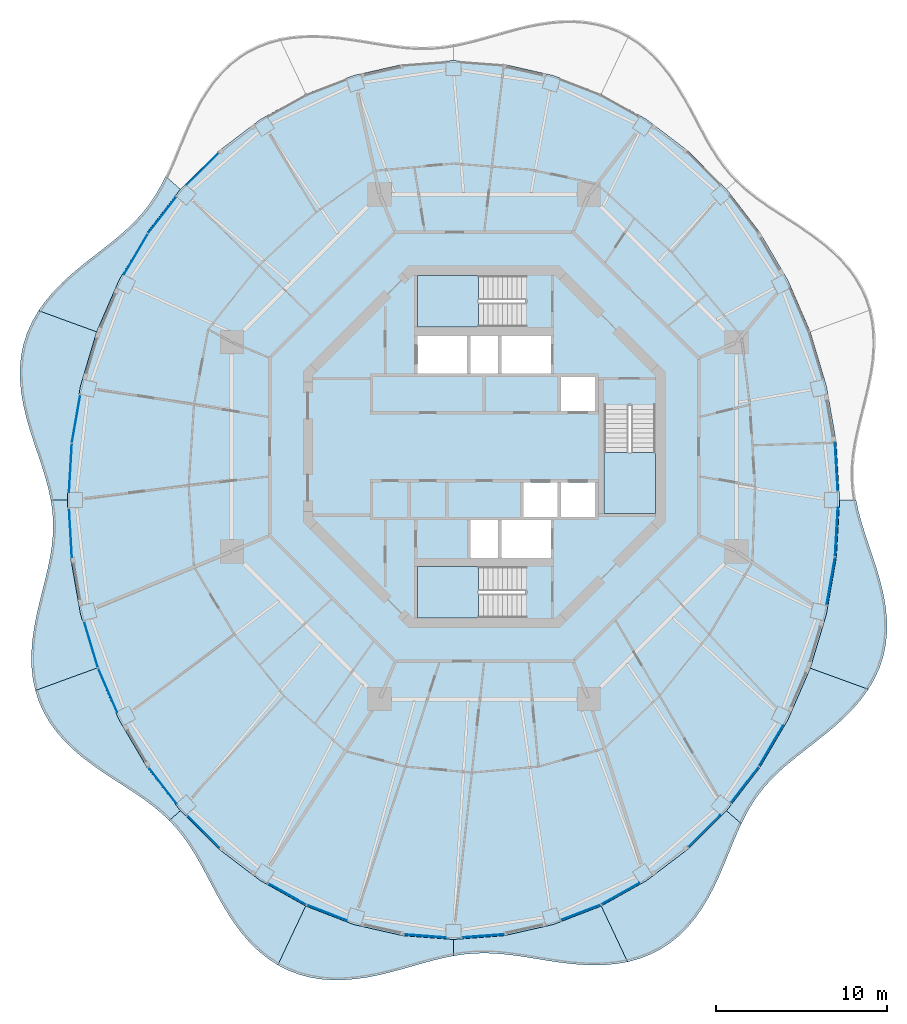
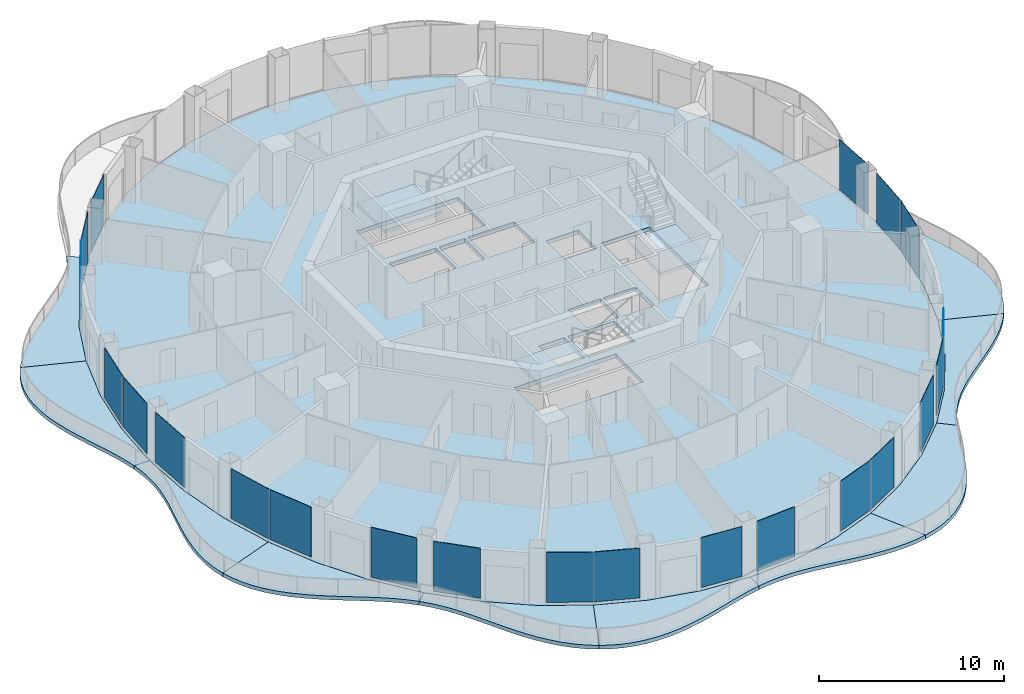
# One storey, part 8 of 17: 22 plates, 14 slabs, 25 elements without a shape of their own.
"""IFC4 building model written with IfcOpenShell, lengths in metres."""

from ifc_helpers import new_model, si_unit, direction, frame, origin, origin_2d, place, context, subcontext, project, spatial, polyline, rectangle, outline, extrude, material, layer, layer_set, type_object, element, aggregate, save


model = new_model("IFC4")

# Units and contexts
model_context = context("Model", 3, precision=1e-05, world=origin(), true_north=direction((0.0, 1.0)))
body_context = subcontext(model_context, "Body", "Model", "MODEL_VIEW")
ifc_project = project(units=[si_unit("LENGTHUNIT", "METRE"), si_unit("AREAUNIT", "SQUARE_METRE"), si_unit("VOLUMEUNIT", "CUBIC_METRE"), si_unit("PLANEANGLEUNIT", "RADIAN"), si_unit("MASSUNIT", "GRAM", prefix="KILO")], contexts=[model_context])

# Site, building, storey
site_placement = place(None, origin())
site = spatial("IfcSite", under=ifc_project, at=site_placement, CompositionType="ELEMENT")
building_placement = place(site_placement, origin())
building = spatial("IfcBuilding", under=site, at=building_placement, Name="Nagisa Residences", CompositionType="ELEMENT")
storey_placement = place(building_placement, frame((0.0, 0.0, 288.10009765625)))
storey = spatial("IfcBuildingStorey", under=building, at=storey_placement, Name="L73", CompositionType="ELEMENT", Elevation=288.10009765625)

# Slabs
ifc_material_1 = material(Name="Concrete C40/50", Category="concrete")
ifc_layer_1 = layer(ifc_material_1, 0.25)
ifc_layer_set_1 = layer_set([ifc_layer_1], Name="BALCONY SLAB 250")
slab_type_1 = type_object("IfcSlabType", Name="BALCONY SLAB 250", PredefinedType="FLOOR", material=ifc_layer_set_1)
slab_1_placement = place(storey_placement, frame((0.0, 0.0, -0.25)))
element("IfcSlab", 1, at=slab_1_placement, inside=storey, type_object=slab_type_1, Name="slab:L73:bal06", PredefinedType="FLOOR", context=body_context, shape_type="SweptSolid", body=[
    extrude(outline(polyline([(-18.6572265625, 15.84130859375), (-18.952880859375, 15.2578125), (-19.274169921875, 14.70458984375), (-19.62744140625, 14.181396484375), (-20.015869140625, 13.685791015625), (-20.442138671875, 13.214599609375), (-20.9052734375, 12.7626953125), (-21.402587890625, 12.324462890625), (-21.929443359375, 11.89306640625), (-22.478759765625, 11.4619140625), (-23.04150390625, 11.024169921875), (-23.607666015625, 10.57373046875), (-24.16650390625, 10.1044921875), (-24.7060546875, 9.6123046875), (-25.21484375, 9.09375), (-25.681884765625, 8.546630859375), (-26.09765625, 7.969970703125), (-22.6982421875, 6.732666015625), (-21.389404296875, 9.752197265625), (-19.74560546875, 12.5517578125), (-17.794677734375, 15.083251953125), (-18.6572265625, 15.84130859375)])), origin(), (0.0, 0.0, 1.0), 0.25),
])
slab_2_placement = place(storey_placement, frame((0.0, 0.0, -0.25)))
element("IfcSlab", 2, at=slab_2_placement, inside=storey, type_object=slab_type_1, Name="slab:L73:bal07", PredefinedType="FLOOR", context=body_context, shape_type="SweptSolid", body=[
    extrude(outline(polyline([(-26.09765625, 7.969970703125), (-26.46337890625, 7.344970703125), (-26.758544921875, 6.691162109375), (-26.97802734375, 6.011962890625), (-27.120361328125, 5.311767578125), (-27.1865234375, 4.595458984375), (-27.18017578125, 3.868408203125), (-27.10791015625, 3.135986328125), (-26.978759765625, 2.403076171875), (-26.803955078125, 1.674560546875), (-26.595458984375, 0.954345703125), (-26.366943359375, 0.2451171875), (-26.132080078125, -0.451416015625), (-25.904296875, -1.135009765625), (-25.696044921875, -1.805908203125), (-25.517822265625, -2.4658203125), (-25.379150390625, -3.11767578125), (-24.419921875, -3.11767578125), (-24.2265625, 0.241943359375), (-23.649169921875, 3.544189453125), (-22.6982421875, 6.732666015625), (-26.09765625, 7.969970703125)])), origin(), (0.0, 0.0, 1.0), 0.25),
])
slab_3_placement = place(storey_placement, frame((0.0, 0.0, -0.25)))
element("IfcSlab", 3, at=slab_3_placement, inside=storey, type_object=slab_type_1, Name="slab:L73:bal08", PredefinedType="FLOOR", context=body_context, shape_type="SweptSolid", body=[
    extrude(outline(polyline([(-25.379150390625, -3.11767578125), (-25.286376953125, -3.764404296875), (-25.242919921875, -4.41015625), (-25.25, -5.058349609375), (-25.3056640625, -5.712646484375), (-25.404541015625, -6.376708984375), (-25.539306640625, -7.052734375), (-25.700439453125, -7.74267578125), (-25.876220703125, -8.446533203125), (-26.0537109375, -9.1640625), (-26.219482421875, -9.89306640625), (-26.3603515625, -10.630615234375), (-26.462890625, -11.37255859375), (-26.515869140625, -12.113525390625), (-26.5087890625, -12.84814453125), (-26.434326171875, -13.5703125), (-26.286865234375, -14.274169921875), (-22.6982421875, -12.968017578125), (-23.649169921875, -9.77978515625), (-24.2265625, -6.4775390625), (-24.419921875, -3.11767578125), (-25.379150390625, -3.11767578125)])), origin(), (0.0, 0.0, 1.0), 0.25),
])
slab_4_placement = place(storey_placement, frame((0.0, 0.0, -0.25)))
element("IfcSlab", 4, at=slab_4_placement, inside=storey, type_object=slab_type_1, Name="slab:L73:bal09", PredefinedType="FLOOR", context=body_context, shape_type="SweptSolid", body=[
    extrude(outline(polyline([(-26.286865234375, -14.274169921875), (-26.07177734375, -14.93359375), (-25.785888671875, -15.56591796875), (-25.431884765625, -16.16796875), (-25.0146484375, -16.73681640625), (-24.541015625, -17.271728515625), (-24.02001953125, -17.772705078125), (-23.461669921875, -18.241943359375), (-22.876708984375, -18.68212890625), (-22.2763671875, -19.09814453125), (-21.671875, -19.49560546875), (-21.073486328125, -19.88134765625), (-20.49072265625, -20.262451171875), (-19.931396484375, -20.646484375), (-19.401123046875, -21.041015625), (-18.904296875, -21.45263671875), (-18.442138671875, -21.8876953125), (-17.794677734375, -21.318603515625), (-19.74560546875, -18.787109375), (-21.389404296875, -15.98779296875), (-22.6982421875, -12.968017578125), (-26.286865234375, -14.274169921875)])), origin(), (0.0, 0.0, 1.0), 0.25),
])
slab_5_placement = place(storey_placement, frame((0.0, 0.0, -0.25)))
element("IfcSlab", 5, at=slab_5_placement, inside=storey, type_object=slab_type_1, Name="slab:L73:bal10", PredefinedType="FLOOR", context=body_context, shape_type="SweptSolid", body=[
    extrude(outline(polyline([(-18.442138671875, -21.8876953125), (-18.033935546875, -22.328125), (-17.654541015625, -22.797119140625), (-17.30029296875, -23.29541015625), (-16.966064453125, -23.822998046875), (-16.645263671875, -24.377685546875), (-16.330810546875, -24.955810546875), (-16.015380859375, -25.552001953125), (-15.690673828125, -26.159423828125), (-15.349853515625, -26.770263671875), (-14.986083984375, -27.375244140625), (-14.59326171875, -27.965087890625), (-14.1669921875, -28.529541015625), (-13.7041015625, -29.059326171875), (-13.20263671875, -29.545166015625), (-12.662353515625, -29.97900390625), (-12.0849609375, -30.35400390625), (-10.456298828125, -26.8984375), (-13.110107421875, -25.4091796875), (-15.570068359375, -23.53857421875), (-17.794677734375, -21.318603515625), (-18.442138671875, -21.8876953125)])), origin(), (0.0, 0.0, 1.0), 0.25),
])
slab_6_placement = place(storey_placement, frame((0.0, 0.0, -0.25)))
element("IfcSlab", 6, at=slab_6_placement, inside=storey, type_object=slab_type_1, Name="slab:L73:bal11", PredefinedType="FLOOR", context=body_context, shape_type="SweptSolid", body=[
    extrude(outline(polyline([(-12.0849609375, -30.35400390625), (-11.495849609375, -30.65478515625), (-10.878173828125, -30.89306640625), (-10.236572265625, -31.067626953125), (-9.576171875, -31.17919921875), (-8.902099609375, -31.22998046875), (-8.22021484375, -31.224609375), (-7.53564453125, -31.1689453125), (-6.853759765625, -31.070068359375), (-6.178466796875, -30.936279296875), (-5.513427734375, -30.77734375), (-4.861328125, -30.602783203125), (-4.222900390625, -30.42236328125), (-3.598876953125, -30.2451171875), (-2.988525390625, -30.080322265625), (-2.3896484375, -29.935546875), (-1.800048828125, -29.81689453125), (-1.800048828125, -28.857666015625), (-4.75244140625, -28.637451171875), (-7.654541015625, -27.980712890625), (-10.456298828125, -26.8984375), (-12.0849609375, -30.35400390625)])), origin(), (0.0, 0.0, 1.0), 0.25),
])
slab_7_placement = place(storey_placement, frame((0.0, 0.0, -0.25)))
element("IfcSlab", 7, at=slab_7_placement, inside=storey, type_object=slab_type_1, Name="slab:L73:bal12", PredefinedType="FLOOR", context=body_context, shape_type="SweptSolid", body=[
    extrude(outline(polyline([(-1.800048828125, -29.81689453125), (-1.216064453125, -29.72900390625), (-0.63427734375, -29.675048828125), (-0.05078125, -29.655517578125), (0.5380859375, -29.669921875), (1.1357421875, -29.714599609375), (1.7451171875, -29.78564453125), (2.367919921875, -29.876220703125), (3.00537109375, -29.978759765625), (3.6572265625, -30.0849609375), (4.322509765625, -30.185546875), (4.998779296875, -30.27099609375), (5.6826171875, -30.331787109375), (6.369873046875, -30.359375), (7.054931640625, -30.345703125), (7.73291015625, -30.283447265625), (8.397216796875, -30.167724609375), (6.856201171875, -26.8984375), (4.054443359375, -27.980712890625), (1.152587890625, -28.637451171875), (-1.800048828125, -28.857666015625), (-1.800048828125, -29.81689453125)])), origin(), (0.0, 0.0, 1.0), 0.25),
])
slab_8_placement = place(storey_placement, frame((0.0, 0.0, -0.25)))
element("IfcSlab", 8, at=slab_8_placement, inside=storey, type_object=slab_type_1, Name="slab:L73:bal13", PredefinedType="FLOOR", context=body_context, shape_type="SweptSolid", body=[
    extrude(outline(polyline([(8.397216796875, -30.167724609375), (9.066162109375, -29.986572265625), (9.708251953125, -29.740966796875), (10.3173828125, -29.4306640625), (10.889404296875, -29.057373046875), (11.420654296875, -28.624755859375), (11.908935546875, -28.137939453125), (12.353759765625, -27.60400390625), (12.756591796875, -27.03076171875), (13.119873046875, -26.4267578125), (13.447998046875, -25.801513671875), (13.746826171875, -25.164306640625), (14.022705078125, -24.523681640625), (14.28369140625, -23.887939453125), (14.53759765625, -23.264404296875), (14.792724609375, -22.6591796875), (15.057373046875, -22.07666015625), (14.19482421875, -21.318603515625), (11.97021484375, -23.53857421875), (9.510009765625, -25.4091796875), (6.856201171875, -26.8984375), (8.397216796875, -30.167724609375)])), origin(), (0.0, 0.0, 1.0), 0.25),
])
slab_9_placement = place(storey_placement, frame((0.0, 0.0, -0.25)))
element("IfcSlab", 9, at=slab_9_placement, inside=storey, type_object=slab_type_1, Name="slab:L73:bal14", PredefinedType="FLOOR", context=body_context, shape_type="SweptSolid", body=[
    extrude(outline(polyline([(15.057373046875, -22.07666015625), (15.352783203125, -21.493408203125), (15.67431640625, -20.940185546875), (16.02734375, -20.416748046875), (16.416015625, -19.921142578125), (16.842041015625, -19.449951171875), (17.30517578125, -18.998291015625), (17.802734375, -18.559814453125), (18.32958984375, -18.128662109375), (18.878662109375, -17.697265625), (19.44140625, -17.259521484375), (20.0078125, -16.80908203125), (20.56640625, -16.33984375), (21.10595703125, -15.84765625), (21.61474609375, -15.3291015625), (22.08203125, -14.781982421875), (22.49755859375, -14.205322265625), (19.09814453125, -12.968017578125), (17.78955078125, -15.98779296875), (16.145751953125, -18.787109375), (14.19482421875, -21.318603515625), (15.057373046875, -22.07666015625)])), origin(), (0.0, 0.0, 1.0), 0.25),
])
slab_10_placement = place(storey_placement, frame((0.0, 0.0, -0.25)))
element("IfcSlab", 10, at=slab_10_placement, inside=storey, type_object=slab_type_1, Name="slab:L73:bal15", PredefinedType="FLOOR", context=body_context, shape_type="SweptSolid", body=[
    extrude(outline(polyline([(22.49755859375, -14.205322265625), (22.863525390625, -13.580322265625), (23.158447265625, -12.926513671875), (23.378173828125, -12.24755859375), (23.5205078125, -11.54736328125), (23.58642578125, -10.8310546875), (23.580078125, -10.103759765625), (23.5078125, -9.371337890625), (23.37890625, -8.638427734375), (23.203857421875, -7.91015625), (22.99560546875, -7.189697265625), (22.76708984375, -6.48046875), (22.5322265625, -5.783935546875), (22.304443359375, -5.100341796875), (22.095947265625, -4.429443359375), (21.91796875, -3.76953125), (21.779296875, -3.11767578125), (20.820068359375, -3.11767578125), (20.62646484375, -6.4775390625), (20.04931640625, -9.77978515625), (19.09814453125, -12.968017578125), (22.49755859375, -14.205322265625)])), origin(), (0.0, 0.0, 1.0), 0.25),
])

# Curtain wall, plate
ifc_material_2 = material(Name="Concrete-coloured aluminium curtain wall system", Category="concrete")
ifc_layer_2 = layer(ifc_material_2, 0.159912109375)
ifc_layer_set_2 = layer_set([ifc_layer_2], Name="CW1 CURTAIN WALL")
curtain_wall_type = type_object("IfcCurtainWallType", Name="CW1 CURTAIN WALL", PredefinedType="NOTDEFINED", material=ifc_layer_set_2)
curtain_wall_1_placement = place(storey_placement, origin())
curtain_wall_1 = element("IfcCurtainWall", 11, at=curtain_wall_1_placement, inside=storey, type_object=curtain_wall_type, Name="cw:CW1:L73:00", PredefinedType="NOTDEFINED")
ifc_material_3 = material(Name="Clear laminated glass", Category="glass")
ifc_layer_3 = layer(ifc_material_3, 0.028076171875)
ifc_layer_set_3 = layer_set([ifc_layer_3], Name="CW1 GLASS PANEL")
plate_type = type_object("IfcPlateType", Name="CW1 GLASS PANEL", PredefinedType="CURTAIN_PANEL", material=ifc_layer_set_3)
plate_1_placement = place(storey_placement, frame((20.628662109375, -1.187744140625, 0.14990234375), z_axis=(0.0, 0.0, 1.0), x_axis=(-0.057503492216, 0.998345305184, 0.0)))
plate_1 = element("IfcPlate", 12, at=plate_1_placement, type_object=plate_type, Name="CW1 panel", PredefinedType="CURTAIN_PANEL", context=body_context, shape_type="SweptSolid", body=[
    extrude(rectangle(XDim=2.855224609375, YDim=0.028076171875, at=origin_2d()), origin(), (0.0, 0.0, 1.0), 3.2900390625),
])
aggregate(curtain_wall_1, [plate_1])

curtain_wall_2_placement = place(storey_placement, origin())
curtain_wall_2 = element("IfcCurtainWall", 13, at=curtain_wall_2_placement, inside=storey, type_object=curtain_wall_type, Name="cw:CW1:L73:17", PredefinedType="NOTDEFINED")
plate_2_placement = place(storey_placement, frame((-16.488037109375, 16.2744140625, 0.14990234375), z_axis=(0.0, 0.0, 1.0), x_axis=(-0.707835924016, -0.706376885714, 0.0)))
plate_2 = element("IfcPlate", 14, at=plate_2_placement, type_object=plate_type, Name="CW1 panel", PredefinedType="CURTAIN_PANEL", context=body_context, shape_type="SweptSolid", body=[
    extrude(rectangle(XDim=2.6328125, YDim=0.028076171875, at=origin_2d()), origin(), (0.0, 0.0, 1.0), 3.2900390625),
])
aggregate(curtain_wall_2, [plate_2])

curtain_wall_3_placement = place(storey_placement, origin())
curtain_wall_3 = element("IfcCurtainWall", 15, at=curtain_wall_3_placement, inside=storey, type_object=curtain_wall_type, Name="cw:CW1:L73:18", PredefinedType="NOTDEFINED")
plate_3_placement = place(storey_placement, frame((-18.862548828125, 13.566650390625, 0.14990234375), z_axis=(0.0, 0.0, 1.0), x_axis=(-0.610429828235, -0.792070340816, 0.0)))
plate_3 = element("IfcPlate", 16, at=plate_3_placement, type_object=plate_type, Name="CW1 panel", PredefinedType="CURTAIN_PANEL", context=body_context, shape_type="SweptSolid", body=[
    extrude(rectangle(XDim=2.68603515625, YDim=0.028076171875, at=origin_2d()), origin(), (0.0, 0.0, 1.0), 3.2900390625),
])
aggregate(curtain_wall_3, [plate_3])

curtain_wall_4_placement = place(storey_placement, origin())
curtain_wall_4 = element("IfcCurtainWall", 17, at=curtain_wall_4_placement, inside=storey, type_object=curtain_wall_type, Name="cw:CW1:L73:19", PredefinedType="NOTDEFINED")
plate_4_placement = place(storey_placement, frame((-20.39990234375, 11.27978515625, 0.14990234375), z_axis=(0.0, 0.0, 1.0), x_axis=(-0.506348567002, -0.862328898214, 0.0)))
plate_4 = element("IfcPlate", 18, at=plate_4_placement, type_object=plate_type, Name="CW1 panel", PredefinedType="CURTAIN_PANEL", context=body_context, shape_type="SweptSolid", body=[
    extrude(rectangle(XDim=2.736572265625, YDim=0.028076171875, at=origin_2d()), origin(), (0.0, 0.0, 1.0), 3.2900390625),
])
aggregate(curtain_wall_4, [plate_4])

curtain_wall_5_placement = place(storey_placement, origin())
curtain_wall_5 = element("IfcCurtainWall", 19, at=curtain_wall_5_placement, inside=storey, type_object=curtain_wall_type, Name="cw:CW1:L73:22", PredefinedType="NOTDEFINED")
plate_5_placement = place(storey_placement, frame((-23.903076171875, 1.628173828125, 0.14990234375), z_axis=(0.0, 0.0, 1.0), x_axis=(-0.172190868898, -0.985063604377, 0.0)))
plate_5 = element("IfcPlate", 20, at=plate_5_placement, type_object=plate_type, Name="CW1 panel", PredefinedType="CURTAIN_PANEL", context=body_context, shape_type="SweptSolid", body=[
    extrude(rectangle(XDim=2.84228515625, YDim=0.028076171875, at=origin_2d()), origin(), (0.0, 0.0, 1.0), 3.2900390625),
])
aggregate(curtain_wall_5, [plate_5])

curtain_wall_6_placement = place(storey_placement, origin())
curtain_wall_6 = element("IfcCurtainWall", 21, at=curtain_wall_6_placement, inside=storey, type_object=curtain_wall_type, Name="cw:CW1:L73:23", PredefinedType="NOTDEFINED")
plate_6_placement = place(storey_placement, frame((-24.232177734375, -1.247802734375, 0.14990234375), z_axis=(0.0, 0.0, 1.0), x_axis=(-0.057503492216, -0.998345305184, 0.0)))
plate_6 = element("IfcPlate", 22, at=plate_6_placement, type_object=plate_type, Name="CW1 panel", PredefinedType="CURTAIN_PANEL", context=body_context, shape_type="SweptSolid", body=[
    extrude(rectangle(XDim=2.855224609375, YDim=0.028076171875, at=origin_2d()), origin(), (0.0, 0.0, 1.0), 3.2900390625),
])
aggregate(curtain_wall_6, [plate_6])

curtain_wall_7_placement = place(storey_placement, origin())
curtain_wall_7 = element("IfcCurtainWall", 23, at=curtain_wall_7_placement, inside=storey, type_object=curtain_wall_type, Name="cw:CW1:L73:24", PredefinedType="NOTDEFINED")
plate_7_placement = place(storey_placement, frame((-24.228759765625, -5.047607421875, 0.14990234375), z_axis=(0.0, 0.0, 1.0), x_axis=(0.057503492216, -0.998345305184, 0.0)))
plate_7 = element("IfcPlate", 24, at=plate_7_placement, type_object=plate_type, Name="CW1 panel", PredefinedType="CURTAIN_PANEL", context=body_context, shape_type="SweptSolid", body=[
    extrude(rectangle(XDim=2.855224609375, YDim=0.028076171875, at=origin_2d()), origin(), (0.0, 0.0, 1.0), 3.2900390625),
])
aggregate(curtain_wall_7, [plate_7])

curtain_wall_8_placement = place(storey_placement, origin())
curtain_wall_8 = element("IfcCurtainWall", 25, at=curtain_wall_8_placement, inside=storey, type_object=curtain_wall_type, Name="cw:CW1:L73:26", PredefinedType="NOTDEFINED")
plate_8_placement = place(storey_placement, frame((-23.024169921875, -11.59521484375, 0.14990234375), z_axis=(0.0, 0.0, 1.0), x_axis=(0.285860274038, -0.958271310082, 0.0)))
plate_8 = element("IfcPlate", 26, at=plate_8_placement, type_object=plate_type, Name="CW1 panel", PredefinedType="CURTAIN_PANEL", context=body_context, shape_type="SweptSolid", body=[
    extrude(rectangle(XDim=2.817138671875, YDim=0.028076171875, at=origin_2d()), origin(), (0.0, 0.0, 1.0), 3.2900390625),
])
aggregate(curtain_wall_8, [plate_8])

curtain_wall_9_placement = place(storey_placement, origin())
curtain_wall_9 = element("IfcCurtainWall", 27, at=curtain_wall_9_placement, inside=storey, type_object=curtain_wall_type, Name="cw:CW1:L73:27", PredefinedType="NOTDEFINED")
plate_9_placement = place(storey_placement, frame((-22.0478515625, -14.26708984375, 0.14990234375), z_axis=(0.0, 0.0, 1.0), x_axis=(0.397635934147, -0.917543276295, 0.0)))
plate_9 = element("IfcPlate", 28, at=plate_9_placement, type_object=plate_type, Name="CW1 panel", PredefinedType="CURTAIN_PANEL", context=body_context, shape_type="SweptSolid", body=[
    extrude(rectangle(XDim=2.781005859375, YDim=0.028076171875, at=origin_2d()), origin(), (0.0, 0.0, 1.0), 3.2900390625),
])
aggregate(curtain_wall_9, [plate_9])

curtain_wall_10_placement = place(storey_placement, origin())
curtain_wall_10 = element("IfcCurtainWall", 29, at=curtain_wall_10_placement, inside=storey, type_object=curtain_wall_type, Name="cw:CW1:L73:29", PredefinedType="NOTDEFINED")
plate_10_placement = place(storey_placement, frame((-18.825927734375, -19.849609375, 0.14990234375), z_axis=(0.0, 0.0, 1.0), x_axis=(0.610429828235, -0.792070340816, 0.0)))
plate_10 = element("IfcPlate", 30, at=plate_10_placement, type_object=plate_type, Name="CW1 panel", PredefinedType="CURTAIN_PANEL", context=body_context, shape_type="SweptSolid", body=[
    extrude(rectangle(XDim=2.68603515625, YDim=0.028076171875, at=origin_2d()), origin(), (0.0, 0.0, 1.0), 3.2900390625),
])
aggregate(curtain_wall_10, [plate_10])

curtain_wall_11_placement = place(storey_placement, origin())
curtain_wall_11 = element("IfcCurtainWall", 31, at=curtain_wall_11_placement, inside=storey, type_object=curtain_wall_type, Name="cw:CW1:L73:30", PredefinedType="NOTDEFINED")
plate_11_placement = place(storey_placement, frame((-16.445556640625, -22.552001953125, 0.14990234375), z_axis=(0.0, 0.0, 1.0), x_axis=(0.707835924016, -0.706376885714, 0.0)))
plate_11 = element("IfcPlate", 32, at=plate_11_placement, type_object=plate_type, Name="CW1 panel", PredefinedType="CURTAIN_PANEL", context=body_context, shape_type="SweptSolid", body=[
    extrude(rectangle(XDim=2.6328125, YDim=0.028076171875, at=origin_2d()), origin(), (0.0, 0.0, 1.0), 3.2900390625),
])
aggregate(curtain_wall_11, [plate_11])

curtain_wall_12_placement = place(storey_placement, origin())
curtain_wall_12 = element("IfcCurtainWall", 33, at=curtain_wall_12_placement, inside=storey, type_object=curtain_wall_type, Name="cw:CW1:L73:32", PredefinedType="NOTDEFINED")
plate_12_placement = place(storey_placement, frame((-11.521728515625, -26.208740234375, 0.14990234375), z_axis=(0.0, 0.0, 1.0), x_axis=(0.872072377523, -0.489376918501, 0.0)))
plate_12 = element("IfcPlate", 34, at=plate_12_placement, type_object=plate_type, Name="CW1 panel", PredefinedType="CURTAIN_PANEL", context=body_context, shape_type="SweptSolid", body=[
    extrude(rectangle(XDim=2.532958984375, YDim=0.028076171875, at=origin_2d()), origin(), (0.0, 0.0, 1.0), 3.2900390625),
])
aggregate(curtain_wall_12, [plate_12])

curtain_wall_13_placement = place(storey_placement, origin())
curtain_wall_13 = element("IfcCurtainWall", 35, at=curtain_wall_13_placement, inside=storey, type_object=curtain_wall_type, Name="cw:CW1:L73:33", PredefinedType="NOTDEFINED")
plate_13_placement = place(storey_placement, frame((-9.20849609375, -27.294677734375, 0.14990234375), z_axis=(0.0, 0.0, 1.0), x_axis=(0.932825759707, -0.360327770268, 0.0)))
plate_13 = element("IfcPlate", 36, at=plate_13_placement, type_object=plate_type, Name="CW1 panel", PredefinedType="CURTAIN_PANEL", context=body_context, shape_type="SweptSolid", body=[
    extrude(rectangle(XDim=2.49365234375, YDim=0.028076171875, at=origin_2d()), origin(), (0.0, 0.0, 1.0), 3.2900390625),
])
aggregate(curtain_wall_13, [plate_13])

curtain_wall_14_placement = place(storey_placement, origin())
curtain_wall_14 = element("IfcCurtainWall", 37, at=curtain_wall_14_placement, inside=storey, type_object=curtain_wall_type, Name="cw:CW1:L73:35", PredefinedType="NOTDEFINED")
plate_14_placement = place(storey_placement, frame((-3.46484375, -28.6533203125, 0.14990234375), z_axis=(0.0, 0.0, 1.0), x_axis=(0.997230168512, -0.074377355493, 0.0)))
plate_14 = element("IfcPlate", 38, at=plate_14_placement, type_object=plate_type, Name="CW1 panel", PredefinedType="CURTAIN_PANEL", context=body_context, shape_type="SweptSolid", body=[
    extrude(rectangle(XDim=2.45068359375, YDim=0.028076171875, at=origin_2d()), origin(), (0.0, 0.0, 1.0), 3.2900390625),
])
aggregate(curtain_wall_14, [plate_14])

curtain_wall_15_placement = place(storey_placement, origin())
curtain_wall_15 = element("IfcCurtainWall", 39, at=curtain_wall_15_placement, inside=storey, type_object=curtain_wall_type, Name="cw:CW1:L73:36", PredefinedType="NOTDEFINED")
plate_15_placement = place(storey_placement, frame((-0.075439453125, -28.64892578125, 0.14990234375), z_axis=(0.0, 0.0, 1.0), x_axis=(0.997230168512, 0.074377355493, 0.0)))
plate_15 = element("IfcPlate", 40, at=plate_15_placement, type_object=plate_type, Name="CW1 panel", PredefinedType="CURTAIN_PANEL", context=body_context, shape_type="SweptSolid", body=[
    extrude(rectangle(XDim=2.45068359375, YDim=0.028076171875, at=origin_2d()), origin(), (0.0, 0.0, 1.0), 3.2900390625),
])
aggregate(curtain_wall_15, [plate_15])

curtain_wall_16_placement = place(storey_placement, origin())
curtain_wall_16 = element("IfcCurtainWall", 41, at=curtain_wall_16_placement, inside=storey, type_object=curtain_wall_type, Name="cw:CW1:L73:38", PredefinedType="NOTDEFINED")
plate_16_placement = place(storey_placement, frame((5.66455078125, -27.27294921875, 0.14990234375), z_axis=(0.0, 0.0, 1.0), x_axis=(0.932825759707, 0.360327770268, 0.0)))
plate_16 = element("IfcPlate", 42, at=plate_16_placement, type_object=plate_type, Name="CW1 panel", PredefinedType="CURTAIN_PANEL", context=body_context, shape_type="SweptSolid", body=[
    extrude(rectangle(XDim=2.49365234375, YDim=0.028076171875, at=origin_2d()), origin(), (0.0, 0.0, 1.0), 3.2900390625),
])
aggregate(curtain_wall_16, [plate_16])

curtain_wall_17_placement = place(storey_placement, origin())
curtain_wall_17 = element("IfcCurtainWall", 43, at=curtain_wall_17_placement, inside=storey, type_object=curtain_wall_type, Name="cw:CW1:L73:39", PredefinedType="NOTDEFINED")
plate_17_placement = place(storey_placement, frame((7.973876953125, -26.179443359375, 0.14990234375), z_axis=(0.0, 0.0, 1.0), x_axis=(0.872072377523, 0.489376918501, 0.0)))
plate_17 = element("IfcPlate", 44, at=plate_17_placement, type_object=plate_type, Name="CW1 panel", PredefinedType="CURTAIN_PANEL", context=body_context, shape_type="SweptSolid", body=[
    extrude(rectangle(XDim=2.532958984375, YDim=0.028076171875, at=origin_2d()), origin(), (0.0, 0.0, 1.0), 3.2900390625),
])
aggregate(curtain_wall_17, [plate_17])

curtain_wall_18_placement = place(storey_placement, origin())
curtain_wall_18 = element("IfcCurtainWall", 45, at=curtain_wall_18_placement, inside=storey, type_object=curtain_wall_type, Name="cw:CW1:L73:41", PredefinedType="NOTDEFINED")
plate_18_placement = place(storey_placement, frame((12.887939453125, -22.509765625, 0.14990234375), z_axis=(0.0, 0.0, 1.0), x_axis=(0.707835924016, 0.706376885714, 0.0)))
plate_18 = element("IfcPlate", 46, at=plate_18_placement, type_object=plate_type, Name="CW1 panel", PredefinedType="CURTAIN_PANEL", context=body_context, shape_type="SweptSolid", body=[
    extrude(rectangle(XDim=2.6328125, YDim=0.028076171875, at=origin_2d()), origin(), (0.0, 0.0, 1.0), 3.2900390625),
])
aggregate(curtain_wall_18, [plate_18])

curtain_wall_19_placement = place(storey_placement, origin())
curtain_wall_19 = element("IfcCurtainWall", 47, at=curtain_wall_19_placement, inside=storey, type_object=curtain_wall_type, Name="cw:CW1:L73:42", PredefinedType="NOTDEFINED")
plate_19_placement = place(storey_placement, frame((15.262451171875, -19.802001953125, 0.14990234375), z_axis=(0.0, 0.0, 1.0), x_axis=(0.610429828235, 0.792070340816, 0.0)))
plate_19 = element("IfcPlate", 48, at=plate_19_placement, type_object=plate_type, Name="CW1 panel", PredefinedType="CURTAIN_PANEL", context=body_context, shape_type="SweptSolid", body=[
    extrude(rectangle(XDim=2.68603515625, YDim=0.028076171875, at=origin_2d()), origin(), (0.0, 0.0, 1.0), 3.2900390625),
])
aggregate(curtain_wall_19, [plate_19])

curtain_wall_20_placement = place(storey_placement, origin())
curtain_wall_20 = element("IfcCurtainWall", 49, at=curtain_wall_20_placement, inside=storey, type_object=curtain_wall_type, Name="cw:CW1:L73:43", PredefinedType="NOTDEFINED")
plate_20_placement = place(storey_placement, frame((16.7998046875, -17.51513671875, 0.14990234375), z_axis=(0.0, 0.0, 1.0), x_axis=(0.506348567002, 0.862328898214, 0.0)))
plate_20 = element("IfcPlate", 50, at=plate_20_placement, type_object=plate_type, Name="CW1 panel", PredefinedType="CURTAIN_PANEL", context=body_context, shape_type="SweptSolid", body=[
    extrude(rectangle(XDim=2.736572265625, YDim=0.028076171875, at=origin_2d()), origin(), (0.0, 0.0, 1.0), 3.2900390625),
])
aggregate(curtain_wall_20, [plate_20])

curtain_wall_21_placement = place(storey_placement, origin())
curtain_wall_21 = element("IfcCurtainWall", 51, at=curtain_wall_21_placement, inside=storey, type_object=curtain_wall_type, Name="cw:CW1:L73:46", PredefinedType="NOTDEFINED")
plate_21_placement = place(storey_placement, frame((20.302978515625, -7.863525390625, 0.14990234375), z_axis=(0.0, 0.0, 1.0), x_axis=(0.172190868898, 0.985063604377, 0.0)))
plate_21 = element("IfcPlate", 52, at=plate_21_placement, type_object=plate_type, Name="CW1 panel", PredefinedType="CURTAIN_PANEL", context=body_context, shape_type="SweptSolid", body=[
    extrude(rectangle(XDim=2.84228515625, YDim=0.028076171875, at=origin_2d()), origin(), (0.0, 0.0, 1.0), 3.2900390625),
])
aggregate(curtain_wall_21, [plate_21])

curtain_wall_22_placement = place(storey_placement, origin())
curtain_wall_22 = element("IfcCurtainWall", 53, at=curtain_wall_22_placement, inside=storey, type_object=curtain_wall_type, Name="cw:CW1:L73:47", PredefinedType="NOTDEFINED")
plate_22_placement = place(storey_placement, frame((20.632080078125, -4.987548828125, 0.14990234375), z_axis=(0.0, 0.0, 1.0), x_axis=(0.057503492216, 0.998345305184, 0.0)))
plate_22 = element("IfcPlate", 54, at=plate_22_placement, type_object=plate_type, Name="CW1 panel", PredefinedType="CURTAIN_PANEL", context=body_context, shape_type="SweptSolid", body=[
    extrude(rectangle(XDim=2.855224609375, YDim=0.028076171875, at=origin_2d()), origin(), (0.0, 0.0, 1.0), 3.2900390625),
])
aggregate(curtain_wall_22, [plate_22])

# Slab
ifc_material_4 = material(Name="Concrete C40", Category="concrete")
ifc_layer_4 = layer(ifc_material_4, 0.260009765625)
ifc_layer_set_4 = layer_set([ifc_layer_4], Name="Floor slab 260")
slab_type_2 = type_object("IfcSlabType", Name="Floor slab 260", PredefinedType="FLOOR", material=ifc_layer_set_4)
slab_11_placement = place(storey_placement, frame((0.0, 0.0, -0.260009765625)))
element("IfcSlab", 55, at=slab_11_placement, inside=storey, type_object=slab_type_2, Name="slab:L73:floor", PredefinedType="FLOOR", context=body_context, shape_type="SweptSolid", body=[
    extrude(outline(polyline([(20.820068359375, -3.11767578125), (20.62646484375, 0.241943359375), (20.04931640625, 3.544189453125), (19.09814453125, 6.732666015625), (17.78955078125, 9.752197265625), (16.145751953125, 12.5517578125), (14.19482421875, 15.083251953125), (11.97021484375, 17.30322265625), (9.510009765625, 19.173828125), (6.856201171875, 20.6630859375), (4.054443359375, 21.745361328125), (1.152587890625, 22.402099609375), (-1.800048828125, 22.622314453125), (-4.75244140625, 22.402099609375), (-7.654541015625, 21.745361328125), (-10.456298828125, 20.6630859375), (-13.110107421875, 19.173828125), (-15.570068359375, 17.30322265625), (-17.794677734375, 15.083251953125), (-19.74560546875, 12.5517578125), (-21.389404296875, 9.752197265625), (-22.6982421875, 6.732666015625), (-23.649169921875, 3.544189453125), (-24.2265625, 0.241943359375), (-24.419921875, -3.11767578125), (-24.2265625, -6.4775390625), (-23.649169921875, -9.77978515625), (-22.6982421875, -12.968017578125), (-21.389404296875, -15.98779296875), (-19.74560546875, -18.787109375), (-17.794677734375, -21.318603515625), (-15.570068359375, -23.53857421875), (-13.110107421875, -25.4091796875), (-10.456298828125, -26.8984375), (-7.654541015625, -27.980712890625), (-4.75244140625, -28.637451171875), (-1.800048828125, -28.857666015625), (1.152587890625, -28.637451171875), (4.054443359375, -27.980712890625), (6.856201171875, -26.8984375), (9.510009765625, -25.4091796875), (11.97021484375, -23.53857421875), (14.19482421875, -21.318603515625), (16.145751953125, -18.787109375), (17.78955078125, -15.98779296875), (19.09814453125, -12.968017578125), (20.04931640625, -9.77978515625), (20.62646484375, -6.4775390625), (20.820068359375, -3.11767578125)]), holes=[polyline([(6.5, 2.10009765625), (6.5, 4.10009765625), (4.5, 4.10009765625), (4.5, 2.10009765625), (6.5, 2.10009765625)]), polyline([(4.300048828125, -4.10009765625), (4.300048828125, -2.10009765625), (2.300048828125, -2.10009765625), (2.300048828125, -4.10009765625), (4.300048828125, -4.10009765625)]), polyline([(6.5, -4.10009765625), (6.5, -2.10009765625), (4.5, -2.10009765625), (4.5, -4.10009765625), (6.5, -4.10009765625)]), polyline([(3.89990234375, 4.300048828125), (3.89990234375, 6.5), (1.0, 6.5), (1.0, 4.300048828125), (3.89990234375, 4.300048828125)]), polyline([(3.89990234375, -6.5), (3.89990234375, -4.300048828125), (1.0, -4.300048828125), (1.0, -6.5), (3.89990234375, -6.5)]), polyline([(-1.0, 4.300048828125), (-1.0, 6.5), (-3.89990234375, 6.5), (-3.89990234375, 4.300048828125), (-1.0, 4.300048828125)]), polyline([(0.800048828125, 4.300048828125), (0.800048828125, 6.5), (-0.800048828125, 6.5), (-0.800048828125, 4.300048828125), (0.800048828125, 4.300048828125)]), polyline([(0.800048828125, -6.5), (0.800048828125, -4.300048828125), (-0.800048828125, -4.300048828125), (-0.800048828125, -6.5), (0.800048828125, -6.5)]), polyline([(10.024658203125, -3.89990234375), (7.024658203125, -3.89990234375), (7.024658203125, 2.425048828125), (10.024658203125, 2.425048828125), (10.024658203125, -3.89990234375)]), polyline([(-3.89990234375, 7.024658203125), (-3.89990234375, 10.024658203125), (2.425048828125, 10.024658203125), (2.425048828125, 7.024658203125), (-3.89990234375, 7.024658203125)]), polyline([(-3.89990234375, -10.024658203125), (-3.89990234375, -7.024658203125), (2.425048828125, -7.024658203125), (2.425048828125, -10.024658203125), (-3.89990234375, -10.024658203125)])]), origin(), (0.0, 0.0, 1.0), 0.260009765625),
])

# Stair, slab
ifc_material_5 = material(Name="Concrete C60", Category="concrete")
stair_type = type_object("IfcStairType", Name="Exit stair", PredefinedType="HALF_TURN_STAIR", material=ifc_material_5)
stair_1_placement = place(storey_placement, origin())
stair_1 = element("IfcStair", 56, at=stair_1_placement, inside=storey, type_object=stair_type, Name="L73 Exit stair E", PredefinedType="HALF_TURN_STAIR")
ifc_material_6 = material(Name="Concrete C60", Category="concrete")
ifc_layer_5 = layer(ifc_material_6, 0.199951171875)
ifc_layer_set_5 = layer_set([ifc_layer_5], Name="Stair landing")
slab_type_3 = type_object("IfcSlabType", Name="Stair landing", PredefinedType="LANDING", material=ifc_layer_set_5)
slab_12_placement = place(storey_placement, frame((0.0, 0.0, 1.64990234375)))
slab_12 = element("IfcSlab", 57, at=slab_12_placement, type_object=slab_type_3, Name="ST-E landing 1", PredefinedType="LANDING", context=body_context, shape_type="SweptSolid", body=[
    extrude(outline(polyline([(7.024658203125, -0.324951171875), (7.024658203125, -3.89990234375), (10.024658203125, -3.89990234375), (10.024658203125, -0.324951171875), (7.024658203125, -0.324951171875)])), origin(), (0.0, 0.0, 1.0), 0.199951171875),
])
aggregate(stair_1, [slab_12])

stair_2_placement = place(storey_placement, origin())
stair_2 = element("IfcStair", 58, at=stair_2_placement, inside=storey, type_object=stair_type, Name="L73 Exit stair N", PredefinedType="HALF_TURN_STAIR")
slab_13_placement = place(storey_placement, frame((0.0, 0.0, 1.64990234375)))
slab_13 = element("IfcSlab", 59, at=slab_13_placement, type_object=slab_type_3, Name="ST-N landing 1", PredefinedType="LANDING", context=body_context, shape_type="SweptSolid", body=[
    extrude(outline(polyline([(-0.324951171875, 10.024658203125), (-3.89990234375, 10.024658203125), (-3.89990234375, 7.024658203125), (-0.324951171875, 7.024658203125), (-0.324951171875, 10.024658203125)])), origin(), (0.0, 0.0, 1.0), 0.199951171875),
])
aggregate(stair_2, [slab_13])

stair_3_placement = place(storey_placement, origin())
stair_3 = element("IfcStair", 60, at=stair_3_placement, inside=storey, type_object=stair_type, Name="L73 Exit stair S", PredefinedType="HALF_TURN_STAIR")
slab_14_placement = place(storey_placement, frame((0.0, 0.0, 1.64990234375)))
slab_14 = element("IfcSlab", 61, at=slab_14_placement, type_object=slab_type_3, Name="ST-S landing 1", PredefinedType="LANDING", context=body_context, shape_type="SweptSolid", body=[
    extrude(outline(polyline([(-0.324951171875, -7.024658203125), (-3.89990234375, -7.024658203125), (-3.89990234375, -10.024658203125), (-0.324951171875, -10.024658203125), (-0.324951171875, -7.024658203125)])), origin(), (0.0, 0.0, 1.0), 0.199951171875),
])
aggregate(stair_3, [slab_14])

save(model, "model.ifc")
